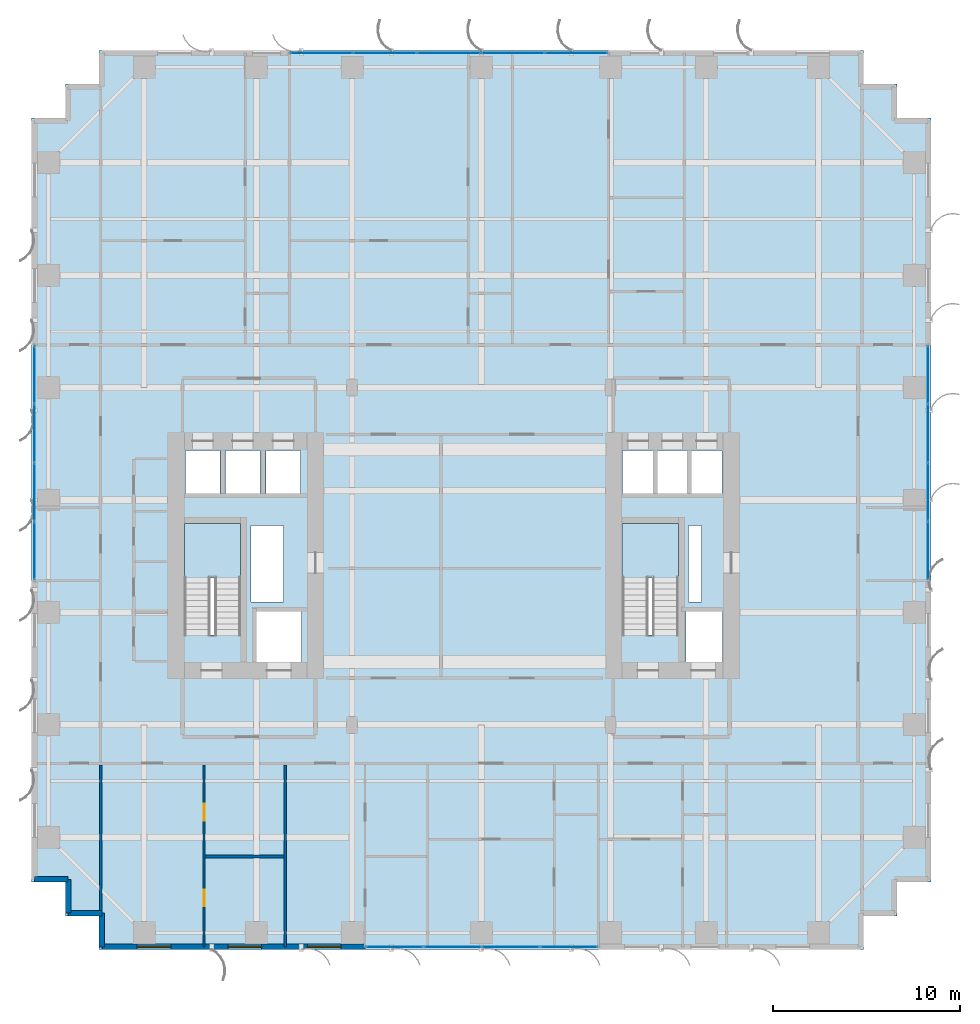
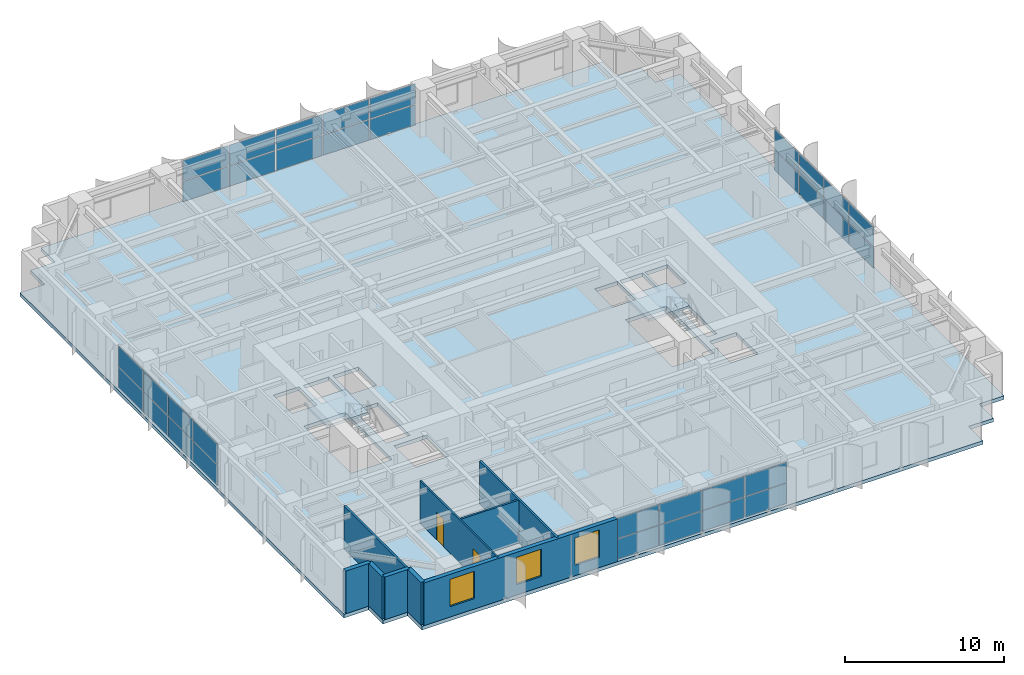
# One storey, part 14 of 23: 34 plates, 9 walls, 3 slabs, 3 windows, 2 doors, 5 openings, 6 elements without a shape of their own.
"""IFC4 building model written with IfcOpenShell, lengths in metres."""

from ifc_helpers import new_model, si_unit, direction, frame, frame_2d, origin, origin_2d, place, context, subcontext, project, spatial, polyline, rectangle, outline, extrude, source, transform, mapped, material, layer, layer_set, type_object, element, fill, aggregate, save


model = new_model("IFC4")

# Units and contexts
model_context = context("Model", 3, precision=1e-05, world=origin(), true_north=direction((0.0, 1.0)))
body_context = subcontext(model_context, "Body", "Model", "MODEL_VIEW")
ifc_project = project(units=[si_unit("LENGTHUNIT", "METRE"), si_unit("AREAUNIT", "SQUARE_METRE"), si_unit("VOLUMEUNIT", "CUBIC_METRE"), si_unit("PLANEANGLEUNIT", "RADIAN"), si_unit("MASSUNIT", "GRAM", prefix="KILO")], contexts=[model_context])

# Site, building, storey
site_placement = place(None, origin())
site = spatial("IfcSite", under=ifc_project, at=site_placement, CompositionType="ELEMENT")
building_placement = place(site_placement, origin())
building = spatial("IfcBuilding", under=site, at=building_placement, Name="Khoralis Quay Care Tower", CompositionType="ELEMENT")
storey_placement = place(building_placement, frame((0.0, 0.0, 72.89990234375)))
storey = spatial("IfcBuildingStorey", under=building, at=storey_placement, Name="L19", CompositionType="ELEMENT", Elevation=72.89990234375)

# Stair, slab
ifc_material_1 = material(Name="Precast concrete C45/55", Category="concrete")
stair_type = type_object("IfcStairType", Name="ST-TWR-DOGLEG-1400", PredefinedType="HALF_TURN_STAIR", material=ifc_material_1)
stair_1_placement = place(storey_placement, origin())
stair_1 = element("IfcStair", 1, at=stair_1_placement, inside=storey, type_object=stair_type, Name="L19 West Core Exit Stair ST-T1", PredefinedType="HALF_TURN_STAIR")
ifc_layer_1 = layer(ifc_material_1, 0.199951171875)
ifc_layer_set_1 = layer_set([ifc_layer_1], Name="Precast concrete C45/55")
slab_type_1 = type_object("IfcSlabType", Name="SLB-LANDING-200", PredefinedType="LANDING", material=ifc_layer_set_1)
slab_1_placement = place(storey_placement, frame((0.0, 0.0, 1.60009765625)))
slab_1 = element("IfcSlab", 2, at=slab_1_placement, type_object=slab_type_1, Name="ST-T1 landing 1", PredefinedType="LANDING", context=body_context, shape_type="SweptSolid", body=[
    extrude(outline(polyline([(11.14990234375, 19.840087890625), (11.14990234375, 22.75), (8.14990234375, 22.75), (8.14990234375, 19.840087890625), (11.14990234375, 19.840087890625)])), origin(), (0.0, 0.0, 1.0), 0.199951171875),
])
aggregate(stair_1, [slab_1])

stair_2_placement = place(storey_placement, origin())
stair_2 = element("IfcStair", 3, at=stair_2_placement, inside=storey, type_object=stair_type, Name="L19 East Core Exit Stair ST-T2", PredefinedType="HALF_TURN_STAIR")
slab_2_placement = place(storey_placement, frame((0.0, 0.0, 1.60009765625)))
slab_2 = element("IfcSlab", 4, at=slab_2_placement, type_object=slab_type_1, Name="ST-T2 landing 1", PredefinedType="LANDING", context=body_context, shape_type="SweptSolid", body=[
    extrude(outline(polyline([(34.52001953125, 19.840087890625), (34.52001953125, 22.75), (31.52001953125, 22.75), (31.52001953125, 19.840087890625), (34.52001953125, 19.840087890625)])), origin(), (0.0, 0.0, 1.0), 0.199951171875),
])
aggregate(stair_2, [slab_2])

# Slab
ifc_material_2 = material(Name="Concrete C40/50", Category="concrete")
ifc_layer_2 = layer(ifc_material_2, 0.280029296875)
ifc_layer_set_2 = layer_set([ifc_layer_2], Name="Concrete C40/50")
slab_type_2 = type_object("IfcSlabType", Name="SLB-TWR-280", PredefinedType="FLOOR", material=ifc_layer_set_2)
slab_3_placement = place(storey_placement, frame((0.0, 0.0, -0.27978515625)))
element("IfcSlab", 5, at=slab_3_placement, inside=storey, type_object=slab_type_2, Name="Tower Floor Slab L19", PredefinedType="FLOOR", context=body_context, shape_type="SweptSolid", body=[
    extrude(outline(polyline([(3.60009765625, 0.0), (44.39990234375, 0.0), (44.39990234375, 1.800048828125), (46.199951171875, 1.800048828125), (46.199951171875, 3.60009765625), (48.0, 3.60009765625), (48.0, 44.39990234375), (46.199951171875, 44.39990234375), (46.199951171875, 46.199951171875), (44.39990234375, 46.199951171875), (44.39990234375, 48.0), (3.60009765625, 48.0), (3.60009765625, 46.199951171875), (1.800048828125, 46.199951171875), (1.800048828125, 44.39990234375), (0.0, 44.39990234375), (0.0, 3.60009765625), (1.800048828125, 3.60009765625), (1.800048828125, 1.800048828125), (3.60009765625, 1.800048828125), (3.60009765625, 0.0)]), holes=[polyline([(11.14990234375, 16.800048828125), (11.14990234375, 22.75), (8.14990234375, 22.75), (8.14990234375, 16.800048828125), (11.14990234375, 16.800048828125)]), polyline([(34.52001953125, 16.800048828125), (34.52001953125, 22.75), (31.52001953125, 22.75), (31.52001953125, 16.800048828125), (34.52001953125, 16.800048828125)]), polyline([(12.0, 15.35009765625), (14.39990234375, 15.35009765625), (14.39990234375, 18.050048828125), (12.0, 18.050048828125), (12.0, 15.35009765625)]), polyline([(34.919921875, 15.35009765625), (36.8798828125, 15.35009765625), (36.8798828125, 18.050048828125), (34.919921875, 18.050048828125), (34.919921875, 15.35009765625)]), polyline([(8.199951171875, 24.35009765625), (10.050048828125, 24.35009765625), (10.050048828125, 26.64990234375), (8.199951171875, 26.64990234375), (8.199951171875, 24.35009765625)]), polyline([(31.550048828125, 24.35009765625), (33.199951171875, 24.35009765625), (33.199951171875, 26.64990234375), (31.550048828125, 26.64990234375), (31.550048828125, 24.35009765625)]), polyline([(10.35009765625, 24.35009765625), (12.199951171875, 24.35009765625), (12.199951171875, 26.64990234375), (10.35009765625, 26.64990234375), (10.35009765625, 24.35009765625)]), polyline([(33.3798828125, 24.35009765625), (35.030029296875, 24.35009765625), (35.030029296875, 26.64990234375), (33.3798828125, 26.64990234375), (33.3798828125, 24.35009765625)]), polyline([(12.5, 24.35009765625), (14.35009765625, 24.35009765625), (14.35009765625, 26.64990234375), (12.5, 26.64990234375), (12.5, 24.35009765625)]), polyline([(35.199951171875, 24.35009765625), (36.85009765625, 24.35009765625), (36.85009765625, 26.64990234375), (35.199951171875, 26.64990234375), (35.199951171875, 24.35009765625)]), polyline([(11.719970703125, 18.550048828125), (13.449951171875, 18.550048828125), (13.449951171875, 22.64990234375), (11.719970703125, 22.64990234375), (11.719970703125, 18.550048828125)]), polyline([(35.050048828125, 18.550048828125), (35.75, 18.550048828125), (35.75, 22.64990234375), (35.050048828125, 22.64990234375), (35.050048828125, 18.550048828125)])]), origin(), (0.0, 0.0, 1.0), 0.27978515625),
])

# Curtain wall, plates
ifc_material_3 = material(Name="Pale anodised aluminium", Category="aluminium")
ifc_layer_3 = layer(ifc_material_3, 0.179931640625)
ifc_layer_set_3 = layer_set([ifc_layer_3], Name="Pale anodised aluminium")
curtain_wall_type = type_object("IfcCurtainWallType", Name="CW-SYS-Z1", PredefinedType="NOTDEFINED", material=ifc_layer_set_3)
curtain_wall_1_placement = place(storey_placement, origin())
curtain_wall_1 = element("IfcCurtainWall", 6, at=curtain_wall_1_placement, inside=storey, type_object=curtain_wall_type, Name="L19 Unitised Curtain Wall CW-L19-P1-E0", PredefinedType="NOTDEFINED")
ifc_material_4 = material(Name="Low-E solar-control double glazing", Category="glass")
ifc_layer_4 = layer(ifc_material_4, 0.031982421875)
ifc_layer_set_4 = layer_set([ifc_layer_4], Name="Low-E solar-control double glazing")
plate_type = type_object("IfcPlateType", Name="PNL-VIS-32", PredefinedType="CURTAIN_PANEL", material=ifc_layer_set_4)
shared_shape_1 = source(origin(), body_context, "Body", "SweptSolid", [
    extrude(rectangle(XDim=3.02197265625, YDim=0.028076171875, at=origin_2d()), origin(), (0.0, 0.0, 1.0), 1.550048828125),
])
plate_1_placement = place(storey_placement, frame((19.373046875, 0.14990234375, 0.06005859375), z_axis=(0.0, 0.0, 1.0), x_axis=(1.0, 0.0, 0.0)))
plate_1 = element("IfcPlate", 7, at=plate_1_placement, type_object=plate_type, Name="CW1 panel 1.1", PredefinedType="CURTAIN_PANEL", context=body_context, shape_type="MappedRepresentation", body=[
    mapped(shared_shape_1, transform((0.0, 0.0, 0.0), scale=1.0)),
])
plate_2_placement = place(storey_placement, frame((19.373046875, 0.14990234375, 1.669921875), z_axis=(0.0, 0.0, 1.0), x_axis=(1.0, 0.0, 0.0)))
plate_2 = element("IfcPlate", 8, at=plate_2_placement, type_object=plate_type, Name="CW1 panel 1.2", PredefinedType="CURTAIN_PANEL", context=body_context, shape_type="MappedRepresentation", body=[
    mapped(shared_shape_1, transform((0.0, 0.0, 0.0), scale=1.0)),
])
plate_3_placement = place(storey_placement, frame((28.678955078125, 0.14990234375, 0.06005859375), z_axis=(0.0, 0.0, 1.0), x_axis=(1.0, 0.0, 0.0)))
plate_3 = element("IfcPlate", 9, at=plate_3_placement, type_object=plate_type, Name="CW1 panel 4.1", PredefinedType="CURTAIN_PANEL", context=body_context, shape_type="MappedRepresentation", body=[
    mapped(shared_shape_1, transform((0.0, 0.0, 0.0), scale=1.0)),
])
plate_4_placement = place(storey_placement, frame((28.678955078125, 0.14990234375, 1.669921875), z_axis=(0.0, 0.0, 1.0), x_axis=(1.0, 0.0, 0.0)))
plate_4 = element("IfcPlate", 10, at=plate_4_placement, type_object=plate_type, Name="CW1 panel 4.2", PredefinedType="CURTAIN_PANEL", context=body_context, shape_type="MappedRepresentation", body=[
    mapped(shared_shape_1, transform((0.0, 0.0, 0.0), scale=1.0)),
])
shared_shape_2 = source(origin(), body_context, "Body", "SweptSolid", [
    extrude(rectangle(XDim=3.052001953125, YDim=0.028076171875, at=origin_2d()), origin(), (0.0, 0.0, 1.0), 1.550048828125),
])
plate_5_placement = place(storey_placement, frame((22.469970703125, 0.14990234375, 0.06005859375), z_axis=(0.0, 0.0, 1.0), x_axis=(1.0, 0.0, 0.0)))
plate_5 = element("IfcPlate", 11, at=plate_5_placement, type_object=plate_type, Name="CW1 panel 2.1", PredefinedType="CURTAIN_PANEL", context=body_context, shape_type="MappedRepresentation", body=[
    mapped(shared_shape_2, transform((0.0, 0.0, 0.0), scale=1.0)),
])
plate_6_placement = place(storey_placement, frame((22.469970703125, 0.14990234375, 1.669921875), z_axis=(0.0, 0.0, 1.0), x_axis=(1.0, 0.0, 0.0)))
plate_6 = element("IfcPlate", 12, at=plate_6_placement, type_object=plate_type, Name="CW1 panel 2.2", PredefinedType="CURTAIN_PANEL", context=body_context, shape_type="MappedRepresentation", body=[
    mapped(shared_shape_2, transform((0.0, 0.0, 0.0), scale=1.0)),
])
plate_7_placement = place(storey_placement, frame((25.58203125, 0.14990234375, 0.06005859375), z_axis=(0.0, 0.0, 1.0), x_axis=(1.0, 0.0, 0.0)))
plate_7 = element("IfcPlate", 13, at=plate_7_placement, type_object=plate_type, Name="CW1 panel 3.1", PredefinedType="CURTAIN_PANEL", context=body_context, shape_type="MappedRepresentation", body=[
    mapped(shared_shape_2, transform((0.0, 0.0, 0.0), scale=1.0)),
])
plate_8_placement = place(storey_placement, frame((25.58203125, 0.14990234375, 1.669921875), z_axis=(0.0, 0.0, 1.0), x_axis=(1.0, 0.0, 0.0)))
plate_8 = element("IfcPlate", 14, at=plate_8_placement, type_object=plate_type, Name="CW1 panel 3.2", PredefinedType="CURTAIN_PANEL", context=body_context, shape_type="MappedRepresentation", body=[
    mapped(shared_shape_2, transform((0.0, 0.0, 0.0), scale=1.0)),
])
aggregate(curtain_wall_1, [plate_1, plate_2, plate_5, plate_6, plate_7, plate_8, plate_3, plate_4])

curtain_wall_2_placement = place(storey_placement, origin())
curtain_wall_2 = element("IfcCurtainWall", 15, at=curtain_wall_2_placement, inside=storey, type_object=curtain_wall_type, Name="L19 Unitised Curtain Wall CW-L19-P1-E5", PredefinedType="NOTDEFINED")
shared_shape_3 = source(origin(), body_context, "Body", "SweptSolid", [
    extrude(rectangle(XDim=3.054931640625, YDim=0.028076171875, at=origin_2d()), origin(), (0.0, 0.0, 1.0), 1.550048828125),
])
plate_9_placement = place(storey_placement, frame((47.85009765625, 21.28759765625, 0.06005859375), z_axis=(0.0, 0.0, 1.0), x_axis=(0.0, 1.0, 0.0)))
plate_9 = element("IfcPlate", 16, at=plate_9_placement, type_object=plate_type, Name="CW1 panel 1.1", PredefinedType="CURTAIN_PANEL", context=body_context, shape_type="MappedRepresentation", body=[
    mapped(shared_shape_3, transform((0.0, 0.0, 0.0), scale=1.0)),
])
plate_10_placement = place(storey_placement, frame((47.85009765625, 21.28759765625, 1.669921875), z_axis=(0.0, 0.0, 1.0), x_axis=(0.0, 1.0, 0.0)))
plate_10 = element("IfcPlate", 17, at=plate_10_placement, type_object=plate_type, Name="CW1 panel 1.2", PredefinedType="CURTAIN_PANEL", context=body_context, shape_type="MappedRepresentation", body=[
    mapped(shared_shape_3, transform((0.0, 0.0, 0.0), scale=1.0)),
])
plate_11_placement = place(storey_placement, frame((47.85009765625, 30.6923828125, 0.06005859375), z_axis=(0.0, 0.0, 1.0), x_axis=(0.0, 1.0, 0.0)))
plate_11 = element("IfcPlate", 18, at=plate_11_placement, type_object=plate_type, Name="CW1 panel 4.1", PredefinedType="CURTAIN_PANEL", context=body_context, shape_type="MappedRepresentation", body=[
    mapped(shared_shape_3, transform((0.0, 0.0, 0.0), scale=1.0)),
])
plate_12_placement = place(storey_placement, frame((47.85009765625, 30.6923828125, 1.669921875), z_axis=(0.0, 0.0, 1.0), x_axis=(0.0, 1.0, 0.0)))
plate_12 = element("IfcPlate", 19, at=plate_12_placement, type_object=plate_type, Name="CW1 panel 4.2", PredefinedType="CURTAIN_PANEL", context=body_context, shape_type="MappedRepresentation", body=[
    mapped(shared_shape_3, transform((0.0, 0.0, 0.0), scale=1.0)),
])

curtain_wall_3_placement = place(storey_placement, origin())
curtain_wall_3 = element("IfcCurtainWall", 20, at=curtain_wall_3_placement, inside=storey, type_object=curtain_wall_type, Name="L19 Unitised Curtain Wall CW-L19-P1-E15", PredefinedType="NOTDEFINED")
plate_13_placement = place(storey_placement, frame((0.14990234375, 30.6923828125, 0.06005859375), z_axis=(0.0, 0.0, 1.0), x_axis=(0.0, -1.0, 0.0)))
plate_13 = element("IfcPlate", 21, at=plate_13_placement, type_object=plate_type, Name="CW1 panel 1.1", PredefinedType="CURTAIN_PANEL", context=body_context, shape_type="MappedRepresentation", body=[
    mapped(shared_shape_3, transform((0.0, 0.0, 0.0), scale=1.0)),
])
plate_14_placement = place(storey_placement, frame((0.14990234375, 30.6923828125, 1.669921875), z_axis=(0.0, 0.0, 1.0), x_axis=(0.0, -1.0, 0.0)))
plate_14 = element("IfcPlate", 22, at=plate_14_placement, type_object=plate_type, Name="CW1 panel 1.2", PredefinedType="CURTAIN_PANEL", context=body_context, shape_type="MappedRepresentation", body=[
    mapped(shared_shape_3, transform((0.0, 0.0, 0.0), scale=1.0)),
])
plate_15_placement = place(storey_placement, frame((0.14990234375, 21.28759765625, 0.06005859375), z_axis=(0.0, 0.0, 1.0), x_axis=(0.0, -1.0, 0.0)))
plate_15 = element("IfcPlate", 23, at=plate_15_placement, type_object=plate_type, Name="CW1 panel 4.1", PredefinedType="CURTAIN_PANEL", context=body_context, shape_type="MappedRepresentation", body=[
    mapped(shared_shape_3, transform((0.0, 0.0, 0.0), scale=1.0)),
])
plate_16_placement = place(storey_placement, frame((0.14990234375, 21.28759765625, 1.669921875), z_axis=(0.0, 0.0, 1.0), x_axis=(0.0, -1.0, 0.0)))
plate_16 = element("IfcPlate", 24, at=plate_16_placement, type_object=plate_type, Name="CW1 panel 4.2", PredefinedType="CURTAIN_PANEL", context=body_context, shape_type="MappedRepresentation", body=[
    mapped(shared_shape_3, transform((0.0, 0.0, 0.0), scale=1.0)),
])

# Plate
shared_shape_4 = source(origin(), body_context, "Body", "SweptSolid", [
    extrude(rectangle(XDim=3.0849609375, YDim=0.028076171875, at=origin_2d()), origin(), (0.0, 0.0, 1.0), 1.550048828125),
])
plate_17_placement = place(storey_placement, frame((47.85009765625, 24.41748046875, 0.06005859375), z_axis=(0.0, 0.0, 1.0), x_axis=(0.0, 1.0, 0.0)))
plate_17 = element("IfcPlate", 25, at=plate_17_placement, type_object=plate_type, Name="CW1 panel 2.1", PredefinedType="CURTAIN_PANEL", context=body_context, shape_type="MappedRepresentation", body=[
    mapped(shared_shape_4, transform((0.0, 0.0, 0.0), scale=1.0)),
])

plate_18_placement = place(storey_placement, frame((47.85009765625, 24.41748046875, 1.669921875), z_axis=(0.0, 0.0, 1.0), x_axis=(0.0, 1.0, 0.0)))
plate_18 = element("IfcPlate", 26, at=plate_18_placement, type_object=plate_type, Name="CW1 panel 2.2", PredefinedType="CURTAIN_PANEL", context=body_context, shape_type="MappedRepresentation", body=[
    mapped(shared_shape_4, transform((0.0, 0.0, 0.0), scale=1.0)),
])

plate_19_placement = place(storey_placement, frame((47.85009765625, 27.5625, 0.06005859375), z_axis=(0.0, 0.0, 1.0), x_axis=(0.0, 1.0, 0.0)))
plate_19 = element("IfcPlate", 27, at=plate_19_placement, type_object=plate_type, Name="CW1 panel 3.1", PredefinedType="CURTAIN_PANEL", context=body_context, shape_type="MappedRepresentation", body=[
    mapped(shared_shape_4, transform((0.0, 0.0, 0.0), scale=1.0)),
])

plate_20_placement = place(storey_placement, frame((47.85009765625, 27.5625, 1.669921875), z_axis=(0.0, 0.0, 1.0), x_axis=(0.0, 1.0, 0.0)))
plate_20 = element("IfcPlate", 28, at=plate_20_placement, type_object=plate_type, Name="CW1 panel 3.2", PredefinedType="CURTAIN_PANEL", context=body_context, shape_type="MappedRepresentation", body=[
    mapped(shared_shape_4, transform((0.0, 0.0, 0.0), scale=1.0)),
])

aggregate(curtain_wall_2, [plate_9, plate_10, plate_17, plate_18, plate_19, plate_20, plate_11, plate_12])

plate_21_placement = place(storey_placement, frame((0.14990234375, 27.5625, 0.06005859375), z_axis=(0.0, 0.0, 1.0), x_axis=(0.0, -1.0, 0.0)))
plate_21 = element("IfcPlate", 29, at=plate_21_placement, type_object=plate_type, Name="CW1 panel 2.1", PredefinedType="CURTAIN_PANEL", context=body_context, shape_type="MappedRepresentation", body=[
    mapped(shared_shape_4, transform((0.0, 0.0, 0.0), scale=1.0)),
])

plate_22_placement = place(storey_placement, frame((0.14990234375, 27.5625, 1.669921875), z_axis=(0.0, 0.0, 1.0), x_axis=(0.0, -1.0, 0.0)))
plate_22 = element("IfcPlate", 30, at=plate_22_placement, type_object=plate_type, Name="CW1 panel 2.2", PredefinedType="CURTAIN_PANEL", context=body_context, shape_type="MappedRepresentation", body=[
    mapped(shared_shape_4, transform((0.0, 0.0, 0.0), scale=1.0)),
])

plate_23_placement = place(storey_placement, frame((0.14990234375, 24.41748046875, 0.06005859375), z_axis=(0.0, 0.0, 1.0), x_axis=(0.0, -1.0, 0.0)))
plate_23 = element("IfcPlate", 31, at=plate_23_placement, type_object=plate_type, Name="CW1 panel 3.1", PredefinedType="CURTAIN_PANEL", context=body_context, shape_type="MappedRepresentation", body=[
    mapped(shared_shape_4, transform((0.0, 0.0, 0.0), scale=1.0)),
])

plate_24_placement = place(storey_placement, frame((0.14990234375, 24.41748046875, 1.669921875), z_axis=(0.0, 0.0, 1.0), x_axis=(0.0, -1.0, 0.0)))
plate_24 = element("IfcPlate", 32, at=plate_24_placement, type_object=plate_type, Name="CW1 panel 3.2", PredefinedType="CURTAIN_PANEL", context=body_context, shape_type="MappedRepresentation", body=[
    mapped(shared_shape_4, transform((0.0, 0.0, 0.0), scale=1.0)),
])

aggregate(curtain_wall_3, [plate_13, plate_14, plate_21, plate_22, plate_23, plate_24, plate_15, plate_16])

# Curtain wall, plates
curtain_wall_4_placement = place(storey_placement, origin())
curtain_wall_4 = element("IfcCurtainWall", 33, at=curtain_wall_4_placement, inside=storey, type_object=curtain_wall_type, Name="L19 Unitised Curtain Wall CW-L19-P1-E10", PredefinedType="NOTDEFINED")
shared_shape_5 = source(origin(), body_context, "Body", "SweptSolid", [
    extrude(rectangle(XDim=3.31689453125, YDim=0.028076171875, at=origin_2d()), origin(), (0.0, 0.0, 1.0), 1.550048828125),
])
plate_25_placement = place(storey_placement, frame((29.076416015625, 47.85009765625, 0.06005859375), z_axis=(0.0, 0.0, 1.0), x_axis=(-1.0, 0.0, 0.0)))
plate_25 = element("IfcPlate", 34, at=plate_25_placement, type_object=plate_type, Name="CW1 panel 1.1", PredefinedType="CURTAIN_PANEL", context=body_context, shape_type="MappedRepresentation", body=[
    mapped(shared_shape_5, transform((0.0, 0.0, 0.0), scale=1.0)),
])
plate_26_placement = place(storey_placement, frame((29.076416015625, 47.85009765625, 1.669921875), z_axis=(0.0, 0.0, 1.0), x_axis=(-1.0, 0.0, 0.0)))
plate_26 = element("IfcPlate", 35, at=plate_26_placement, type_object=plate_type, Name="CW1 panel 1.2", PredefinedType="CURTAIN_PANEL", context=body_context, shape_type="MappedRepresentation", body=[
    mapped(shared_shape_5, transform((0.0, 0.0, 0.0), scale=1.0)),
])
plate_27_placement = place(storey_placement, frame((15.478515625, 47.85009765625, 0.06005859375), z_axis=(0.0, 0.0, 1.0), x_axis=(-1.0, 0.0, 0.0)))
plate_27 = element("IfcPlate", 36, at=plate_27_placement, type_object=plate_type, Name="CW1 panel 5.1", PredefinedType="CURTAIN_PANEL", context=body_context, shape_type="MappedRepresentation", body=[
    mapped(shared_shape_5, transform((0.0, 0.0, 0.0), scale=1.0)),
])
plate_28_placement = place(storey_placement, frame((15.478515625, 47.85009765625, 1.669921875), z_axis=(0.0, 0.0, 1.0), x_axis=(-1.0, 0.0, 0.0)))
plate_28 = element("IfcPlate", 37, at=plate_28_placement, type_object=plate_type, Name="CW1 panel 5.2", PredefinedType="CURTAIN_PANEL", context=body_context, shape_type="MappedRepresentation", body=[
    mapped(shared_shape_5, transform((0.0, 0.0, 0.0), scale=1.0)),
])
shared_shape_6 = source(origin(), body_context, "Body", "SweptSolid", [
    extrude(rectangle(XDim=3.346923828125, YDim=0.028076171875, at=origin_2d()), origin(), (0.0, 0.0, 1.0), 1.550048828125),
])
plate_29_placement = place(storey_placement, frame((25.6845703125, 47.85009765625, 0.06005859375), z_axis=(0.0, 0.0, 1.0), x_axis=(-1.0, 0.0, 0.0)))
plate_29 = element("IfcPlate", 38, at=plate_29_placement, type_object=plate_type, Name="CW1 panel 2.1", PredefinedType="CURTAIN_PANEL", context=body_context, shape_type="MappedRepresentation", body=[
    mapped(shared_shape_6, transform((0.0, 0.0, 0.0), scale=1.0)),
])
plate_30_placement = place(storey_placement, frame((25.6845703125, 47.85009765625, 1.669921875), z_axis=(0.0, 0.0, 1.0), x_axis=(-1.0, 0.0, 0.0)))
plate_30 = element("IfcPlate", 39, at=plate_30_placement, type_object=plate_type, Name="CW1 panel 2.2", PredefinedType="CURTAIN_PANEL", context=body_context, shape_type="MappedRepresentation", body=[
    mapped(shared_shape_6, transform((0.0, 0.0, 0.0), scale=1.0)),
])
plate_31_placement = place(storey_placement, frame((22.277587890625, 47.85009765625, 0.06005859375), z_axis=(0.0, 0.0, 1.0), x_axis=(-1.0, 0.0, 0.0)))
plate_31 = element("IfcPlate", 40, at=plate_31_placement, type_object=plate_type, Name="CW1 panel 3.1", PredefinedType="CURTAIN_PANEL", context=body_context, shape_type="MappedRepresentation", body=[
    mapped(shared_shape_6, transform((0.0, 0.0, 0.0), scale=1.0)),
])
plate_32_placement = place(storey_placement, frame((22.277587890625, 47.85009765625, 1.669921875), z_axis=(0.0, 0.0, 1.0), x_axis=(-1.0, 0.0, 0.0)))
plate_32 = element("IfcPlate", 41, at=plate_32_placement, type_object=plate_type, Name="CW1 panel 3.2", PredefinedType="CURTAIN_PANEL", context=body_context, shape_type="MappedRepresentation", body=[
    mapped(shared_shape_6, transform((0.0, 0.0, 0.0), scale=1.0)),
])
plate_33_placement = place(storey_placement, frame((18.87060546875, 47.85009765625, 0.06005859375), z_axis=(0.0, 0.0, 1.0), x_axis=(-1.0, 0.0, 0.0)))
plate_33 = element("IfcPlate", 42, at=plate_33_placement, type_object=plate_type, Name="CW1 panel 4.1", PredefinedType="CURTAIN_PANEL", context=body_context, shape_type="MappedRepresentation", body=[
    mapped(shared_shape_6, transform((0.0, 0.0, 0.0), scale=1.0)),
])
plate_34_placement = place(storey_placement, frame((18.87060546875, 47.85009765625, 1.669921875), z_axis=(0.0, 0.0, 1.0), x_axis=(-1.0, 0.0, 0.0)))
plate_34 = element("IfcPlate", 43, at=plate_34_placement, type_object=plate_type, Name="CW1 panel 4.2", PredefinedType="CURTAIN_PANEL", context=body_context, shape_type="MappedRepresentation", body=[
    mapped(shared_shape_6, transform((0.0, 0.0, 0.0), scale=1.0)),
])
aggregate(curtain_wall_4, [plate_25, plate_26, plate_29, plate_30, plate_31, plate_32, plate_33, plate_34, plate_27, plate_28])

# Wall, openings, windows
ifc_layer_5 = layer(ifc_material_1, 0.300048828125)
ifc_layer_set_5 = layer_set([ifc_layer_5], Name="Precast concrete C45/55")
wall_type_1 = type_object("IfcWallType", Name="WL-EXT-REF-300", PredefinedType="SOLIDWALL", material=ifc_layer_set_5)
wall_1_placement = place(storey_placement, frame((3.75, 0.14990234375, 0.0), z_axis=(0.0, 0.0, 1.0), x_axis=(1.0, 0.0, 0.0)))
wall_1 = element("IfcWall", 44, at=wall_1_placement, inside=storey, type_object=wall_type_1, Name="L19 External Facade Wall WL-EXT-L19-P1-E0A", PredefinedType="SOLIDWALL", context=body_context, shape_type="SweptSolid", body=[
    extrude(rectangle(XDim=14.052001953125, YDim=0.300048828125, at=frame_2d((7.02587890625, 0.0))), origin(), (0.0, 0.0, 1.0), 3.280029296875),
])
opening_1_placement = place(wall_1_placement, frame((1.8759765625, 0.0, 0.800048828125)))
opening_1 = element("IfcOpeningElement", 45, at=opening_1_placement, cuts=wall_1, Name="Opening W2", PredefinedType="OPENING", context=body_context, shape_type="SweptSolid", body=[
    extrude(rectangle(XDim=1.800048828125, YDim=2.10009765625, at=frame_2d((0.89990234375, 1.050048828125))), frame((0.0, 0.16015625, 0.0), z_axis=(0.0, -1.0, 0.0), x_axis=(1.0, 0.0, 0.0)), (0.0, 0.0, 1.0), 0.320068359375),
])
opening_2_placement = place(wall_1_placement, frame((6.720947265625, 0.0, 0.800048828125)))
opening_2 = element("IfcOpeningElement", 46, at=opening_2_placement, cuts=wall_1, Name="Opening W2", PredefinedType="OPENING", context=body_context, shape_type="SweptSolid", body=[
    extrude(rectangle(XDim=1.800048828125, YDim=2.10009765625, at=frame_2d((0.89990234375, 1.050048828125))), frame((0.0, 0.16015625, 0.0), z_axis=(0.0, -1.0, 0.0), x_axis=(1.0, 0.0, 0.0)), (0.0, 0.0, 1.0), 0.320068359375),
])
opening_3_placement = place(wall_1_placement, frame((10.970947265625, 0.0, 0.800048828125)))
opening_3 = element("IfcOpeningElement", 47, at=opening_3_placement, cuts=wall_1, Name="Opening W2", PredefinedType="OPENING", context=body_context, shape_type="SweptSolid", body=[
    extrude(rectangle(XDim=1.800048828125, YDim=2.10009765625, at=frame_2d((0.89990234375, 1.050048828125))), frame((0.0, 0.16015625, 0.0), z_axis=(0.0, -1.0, 0.0), x_axis=(1.0, 0.0, 0.0)), (0.0, 0.0, 1.0), 0.320068359375),
])
window_type = type_object("IfcWindowType", Name="WN-POD-1800X2100", PartitioningType="SINGLE_PANEL", PredefinedType="WINDOW", material=ifc_material_4)
shared_shape_7 = source(origin(), body_context, "Body", "SweptSolid", [
    extrude(rectangle(XDim=1.800048828125, YDim=2.10009765625, at=frame_2d((0.89990234375, 1.050048828125))), frame((0.0, 0.030029296875, 0.0), z_axis=(0.0, -1.0, 0.0), x_axis=(1.0, 0.0, 0.0)), (0.0, 0.0, 1.0), 0.06005859375),
])
window_1_placement = place(opening_1_placement, origin())
window_1 = element("IfcWindow", 48, at=window_1_placement, inside=storey, type_object=window_type, Name="WN-L19-P1-E0A Facade Window 01", OverallHeight=2.10009765625, OverallWidth=1.800048828125, PartitioningType="SINGLE_PANEL", PredefinedType="WINDOW", context=body_context, shape_type="MappedRepresentation", body=[
    mapped(shared_shape_7, transform((0.0, 0.0, 0.0), scale=1.0)),
])
fill(opening_1, window_1)
window_2_placement = place(opening_2_placement, origin())
window_2 = element("IfcWindow", 49, at=window_2_placement, inside=storey, type_object=window_type, Name="WN-L19-P1-E0A Facade Window 02", OverallHeight=2.10009765625, OverallWidth=1.800048828125, PartitioningType="SINGLE_PANEL", PredefinedType="WINDOW", context=body_context, shape_type="MappedRepresentation", body=[
    mapped(shared_shape_7, transform((0.0, 0.0, 0.0), scale=1.0)),
])
fill(opening_2, window_2)
window_3_placement = place(opening_3_placement, origin())
window_3 = element("IfcWindow", 50, at=window_3_placement, inside=storey, type_object=window_type, Name="WN-L19-P1-E0A Facade Window 03", OverallHeight=2.10009765625, OverallWidth=1.800048828125, PartitioningType="SINGLE_PANEL", PredefinedType="WINDOW", context=body_context, shape_type="MappedRepresentation", body=[
    mapped(shared_shape_7, transform((0.0, 0.0, 0.0), scale=1.0)),
])
fill(opening_3, window_3)

# Walls
for number, where, z_axis, x_axis, name in (
    (51, (0.14990234375, 3.75, 0.0), (0.0, 0.0, 1.0), (1.0, 0.0, 0.0), "L19 External Facade Wall WL-EXT-L19-P1-C16"),
    (52, (1.949951171875, 3.75, 0.0), (0.0, 0.0, 1.0), (0.0, -1.0, 0.0), "L19 External Facade Wall WL-EXT-L19-P1-C17"),
    (53, (1.949951171875, 1.949951171875, 0.0), (0.0, 0.0, 1.0), (1.0, 0.0, 0.0), "L19 External Facade Wall WL-EXT-L19-P1-C18"),
    (54, (3.75, 1.949951171875, 0.0), (0.0, 0.0, 1.0), (0.0, -1.0, 0.0), "L19 External Facade Wall WL-EXT-L19-P1-C19"),
):
    element("IfcWall", number, at=place(storey_placement, frame(where, z_axis=z_axis, x_axis=x_axis)), inside=storey, type_object=wall_type_1, Name=name, PredefinedType="SOLIDWALL", context=body_context, shape_type="SweptSolid", body=[
        extrude(rectangle(XDim=1.800048828125, YDim=0.300048828125, at=frame_2d((0.89990234375, 0.0))), origin(), (0.0, 0.0, 1.0), 3.280029296875),
    ])

# Wall, openings, doors
ifc_material_5 = material(Name="Gypsum plasterboard on acoustic metal stud")
ifc_layer_6 = layer(ifc_material_5, 0.114990234375)
ifc_layer_set_6 = layer_set([ifc_layer_6], Name="Gypsum plasterboard on acoustic metal stud")
wall_type_2 = type_object("IfcWallType", Name="WL-PART-115", PredefinedType="PARTITIONING", material=ifc_layer_set_6)
wall_2_placement = place(storey_placement, frame((9.201904296875, 0.14501953125, 0.0), z_axis=(0.0, 0.0, 1.0), x_axis=(0.0, 1.0, 0.0)))
wall_2 = element("IfcWall", 55, at=wall_2_placement, inside=storey, type_object=wall_type_2, Name="L19 Studio 0 Internal Wall", PredefinedType="PARTITIONING", context=body_context, shape_type="SweptSolid", body=[
    extrude(rectangle(XDim=9.717529296875, YDim=0.114990234375, at=frame_2d((4.85888671875, 0.0))), origin(), (0.0, 0.0, 1.0), 3.280029296875),
])
opening_4_placement = place(wall_2_placement, frame((2.1650390625, 0.0, 0.0)))
opening_4 = element("IfcOpeningElement", 56, at=opening_4_placement, cuts=wall_2, Name="Opening WD1", PredefinedType="OPENING", context=body_context, shape_type="SweptSolid", body=[
    extrude(rectangle(XDim=0.89990234375, YDim=2.10009765625, at=frame_2d((0.449951171875, 1.050048828125))), frame((0.0, 0.0673828125, 0.0), z_axis=(0.0, -1.0, 0.0), x_axis=(1.0, 0.0, 0.0)), (0.0, 0.0, 1.0), 0.135009765625),
])
opening_5_placement = place(wall_2_placement, frame((6.7451171875, 0.0, 0.0)))
opening_5 = element("IfcOpeningElement", 57, at=opening_5_placement, cuts=wall_2, Name="Opening WD1", PredefinedType="OPENING", context=body_context, shape_type="SweptSolid", body=[
    extrude(rectangle(XDim=0.89990234375, YDim=2.10009765625, at=frame_2d((0.449951171875, 1.050048828125))), frame((0.0, 0.0673828125, 0.0), z_axis=(0.0, -1.0, 0.0), x_axis=(1.0, 0.0, 0.0)), (0.0, 0.0, 1.0), 0.135009765625),
])
ifc_material_6 = material(Name="Acoustic hardwood timber", Category="wood")
door_type = type_object("IfcDoorType", Name="DR-BATH-900X2100", OperationType="NOTDEFINED", PredefinedType="DOOR", material=ifc_material_6)
shared_shape_8 = source(origin(), body_context, "Body", "SweptSolid", [
    extrude(rectangle(XDim=0.89990234375, YDim=2.10009765625, at=frame_2d((0.449951171875, 1.050048828125))), frame((0.0, 0.02490234375, 0.0), z_axis=(0.0, -1.0, 0.0), x_axis=(1.0, 0.0, 0.0)), (0.0, 0.0, 1.0), 0.050048828125),
])
door_1_placement = place(opening_4_placement, frame((0.89990234375, 0.0, 0.0), z_axis=(0.0, 0.0, 1.0), x_axis=(-1.0, 0.0, 0.0)))
door_1 = element("IfcDoor", 58, at=door_1_placement, inside=storey, type_object=door_type, Name="L19 Studio SKT Door", OperationType="SINGLE_SWING_RIGHT", OverallHeight=2.10009765625, OverallWidth=0.89990234375, PredefinedType="DOOR", context=body_context, shape_type="MappedRepresentation", body=[
    mapped(shared_shape_8, transform((0.0, 0.0, 0.0), scale=1.0)),
])
fill(opening_4, door_1)
door_2_placement = place(opening_5_placement, frame((0.89990234375, 0.0, 0.0), z_axis=(0.0, 0.0, 1.0), x_axis=(-1.0, 0.0, 0.0)))
door_2 = element("IfcDoor", 59, at=door_2_placement, inside=storey, type_object=door_type, Name="L19 Studio SBH Door", OperationType="SINGLE_SWING_LEFT", OverallHeight=2.10009765625, OverallWidth=0.89990234375, PredefinedType="DOOR", context=body_context, shape_type="MappedRepresentation", body=[
    mapped(shared_shape_8, transform((0.0, 0.0, 0.0), scale=1.0)),
])
fill(opening_5, door_2)

# Walls
ifc_material_7 = material(Name="Moisture-resistant gypsum and ceramic tile")
ifc_layer_7 = layer(ifc_material_7, 0.280029296875)
ifc_layer_set_7 = layer_set([ifc_layer_7], Name="Moisture-resistant gypsum and ceramic tile")
wall_type_3 = type_object("IfcWallType", Name="WL-PLUMB-280", PredefinedType="PLUMBINGWALL", material=ifc_layer_set_7)
wall_3_placement = place(storey_placement, frame((9.25439453125, 4.969970703125, 0.0), z_axis=(0.0, 0.0, 1.0), x_axis=(1.0, 0.0, 0.0)))
element("IfcWall", 60, at=wall_3_placement, inside=storey, type_object=wall_type_3, Name="L19 Studio 0 Wet Split", PredefinedType="PLUMBINGWALL", context=body_context, shape_type="SweptSolid", body=[
    extrude(rectangle(XDim=4.220703125, YDim=0.139892578125, at=frame_2d((2.1103515625, 0.0))), origin(), (0.0, 0.0, 1.0), 3.280029296875),
])
ifc_layer_8 = layer(ifc_material_5, 0.139892578125)
ifc_layer_set_8 = layer_set([ifc_layer_8], Name="Gypsum plasterboard on acoustic metal stud")
wall_type_4 = type_object("IfcWallType", Name="WL-UNIT-140", PredefinedType="PARTITIONING", material=ifc_layer_set_8)
wall_4_placement = place(storey_placement, frame((3.679931640625, 1.945068359375, 0.0), z_axis=(0.0, 0.0, 1.0), x_axis=(0.0, 1.0, 0.0)))
element("IfcWall", 61, at=wall_4_placement, inside=storey, type_object=wall_type_4, Name="L19 SB Demising Wall 0", PredefinedType="PARTITIONING", context=body_context, shape_type="SweptSolid", body=[
    extrude(rectangle(XDim=7.91748046875, YDim=0.139892578125, at=frame_2d((3.958740234375, 0.0))), origin(), (0.0, 0.0, 1.0), 3.280029296875),
])
wall_5_placement = place(storey_placement, frame((13.5400390625, 0.14501953125, 0.0), z_axis=(0.0, 0.0, 1.0), x_axis=(0.0, 1.0, 0.0)))
element("IfcWall", 62, at=wall_5_placement, inside=storey, type_object=wall_type_4, Name="L19 SB Demising Wall 1", PredefinedType="PARTITIONING", context=body_context, shape_type="SweptSolid", body=[
    extrude(rectangle(XDim=9.717529296875, YDim=0.139892578125, at=frame_2d((4.85888671875, 0.0))), origin(), (0.0, 0.0, 1.0), 3.280029296875),
])

save(model, "model.ifc")
